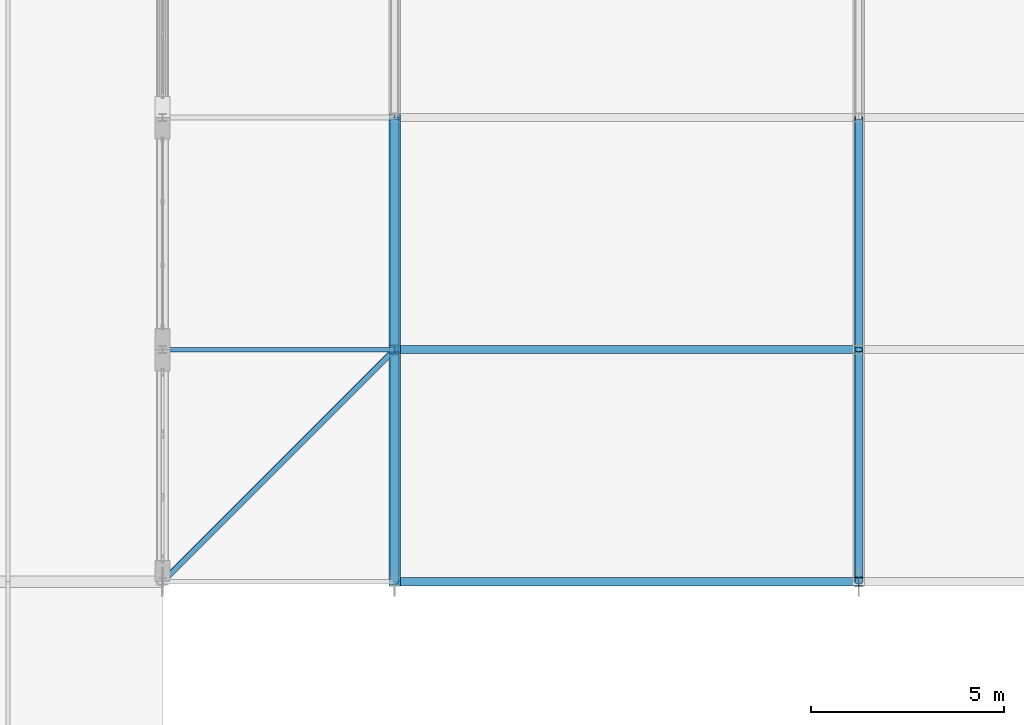
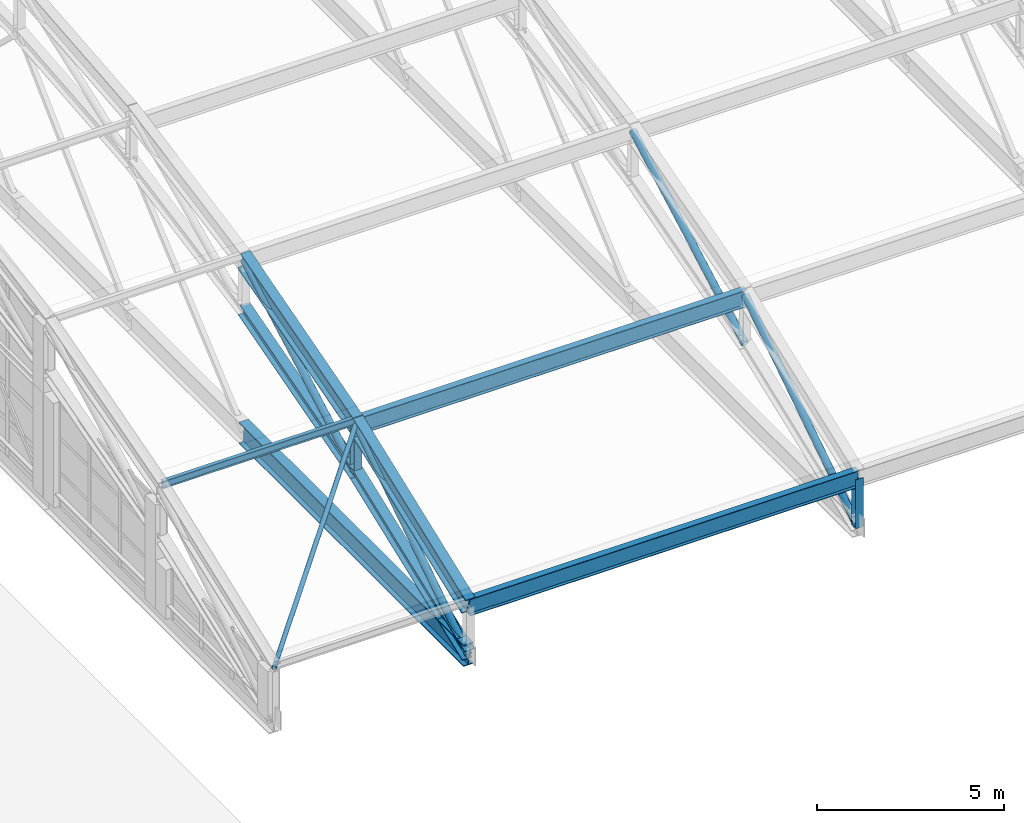
# One storey, part 74 of 204: 15 members.
"""IFC4 building model written with IfcOpenShell, lengths in metres."""

from ifc_helpers import new_model, si_unit, direction, frame, origin, origin_2d, place, context, subcontext, project, spatial, hollow_circle, i_section, extrude, material, material_profile, profile_set, type_object, element, save


model = new_model("IFC4")

# Units and contexts
model_context = context("Model", 3, precision=1e-05, world=origin(), true_north=direction((0.0, 1.0)))
body_context = subcontext(model_context, "Body", "Model", "MODEL_VIEW")
ifc_project = project(units=[si_unit("LENGTHUNIT", "METRE"), si_unit("AREAUNIT", "SQUARE_METRE"), si_unit("VOLUMEUNIT", "CUBIC_METRE"), si_unit("PLANEANGLEUNIT", "RADIAN"), si_unit("MASSUNIT", "GRAM", prefix="KILO")], contexts=[model_context])

# Site, building, storey
site_placement = place(None, origin())
site = spatial("IfcSite", under=ifc_project, at=site_placement, CompositionType="ELEMENT")
building_placement = place(site_placement, origin())
building = spatial("IfcBuilding", under=site, at=building_placement, Name="Zilviju Railside Exhibition Hall", CompositionType="ELEMENT")
storey_placement = place(building_placement, frame((0.0, 0.0, 21.0)))
storey = spatial("IfcBuildingStorey", under=building, at=storey_placement, Name="RF", CompositionType="ELEMENT", Elevation=21.0)

# Members
ifc_material = material(Name="Steel S355J2", Category="steel")
ifc_material_profile_1 = material_profile(ifc_material, hollow_circle(Radius=0.06982421875, WallThickness=0.00634765625, at=origin_2d()), Name="CHS 139.7x6.3")
ifc_profile_set_1 = profile_set([ifc_material_profile_1], Name="Steel S355J2")
member_type_1 = type_object("IfcMemberType", Name="TR-BR-CHS139", PredefinedType="BRACE", material=ifc_profile_set_1)
member_1_placement = place(storey_placement, frame((78.0, 84.0, -1.94189453125), z_axis=(0.68342275404, 0.68342275404, 0.256645043825), x_axis=(-0.707106781187, 0.707106781187, 0.0)))
element("IfcMember", 1, at=member_1_placement, inside=storey, type_object=member_type_1, Name="V2 Roof Wind Brace (78.0..84.0)", PredefinedType="BRACE", context=body_context, shape_type="SweptSolid", body=[
    extrude(hollow_circle(Radius=0.06982421875, WallThickness=0.00634765625, at=origin_2d()), origin(), (0.0, 0.0, 1.0), 8.779296875),
])
ifc_material_profile_2 = material_profile(ifc_material, hollow_circle(Radius=0.109619140625, WallThickness=0.010009765625, at=origin_2d()), Name="CHS 219.1x10.0")
ifc_profile_set_2 = profile_set([ifc_material_profile_2], Name="Steel S355J2")
member_type_2 = type_object("IfcMemberType", Name="TR-BR-CHS219", PredefinedType="BRACE", material=ifc_profile_set_2)
member_2_placement = place(storey_placement, frame((84.0, 84.0, -3.60009765625), z_axis=(0.0, 0.838995406637, 0.544138500423), x_axis=(-1.0, 0.0, 0.0)))
element("IfcMember", 2, at=member_2_placement, inside=storey, type_object=member_type_2, Name="V2 Parabolic Arch Web Diagonal X=84.0 P1", PredefinedType="BRACE", context=body_context, shape_type="SweptSolid", body=[
    extrude(hollow_circle(Radius=0.109619140625, WallThickness=0.010009765625, at=origin_2d()), origin(), (0.0, 0.0, 1.0), 7.1513671875),
])
member_3_placement = place(storey_placement, frame((84.0, 90.0, -1.30859375), z_axis=(0.0, 0.8750828143, 0.483973210122), x_axis=(-1.0, 0.0, 0.0)))
element("IfcMember", 3, at=member_3_placement, inside=storey, type_object=member_type_2, Name="V2 Parabolic Arch Web Diagonal X=84.0 P2", PredefinedType="BRACE", context=body_context, shape_type="SweptSolid", body=[
    extrude(hollow_circle(Radius=0.109619140625, WallThickness=0.010009765625, at=origin_2d()), origin(), (0.0, 0.0, 1.0), 6.8564453125),
])
member_4_placement = place(storey_placement, frame((96.0, 84.0, -3.60009765625), z_axis=(0.0, 0.838995406637, 0.544138500423), x_axis=(-1.0, 0.0, 0.0)))
element("IfcMember", 4, at=member_4_placement, inside=storey, type_object=member_type_2, Name="V2 Parabolic Arch Web Diagonal X=96.0 P1", PredefinedType="BRACE", context=body_context, shape_type="SweptSolid", body=[
    extrude(hollow_circle(Radius=0.109619140625, WallThickness=0.010009765625, at=origin_2d()), origin(), (0.0, 0.0, 1.0), 7.1513671875),
])
member_5_placement = place(storey_placement, frame((96.0, 90.0, -1.30859375), z_axis=(0.0, 0.8750828143, 0.483973210122), x_axis=(-1.0, 0.0, 0.0)))
element("IfcMember", 5, at=member_5_placement, inside=storey, type_object=member_type_2, Name="V2 Parabolic Arch Web Diagonal X=96.0 P2", PredefinedType="BRACE", context=body_context, shape_type="SweptSolid", body=[
    extrude(hollow_circle(Radius=0.109619140625, WallThickness=0.010009765625, at=origin_2d()), origin(), (0.0, 0.0, 1.0), 6.8564453125),
])
ifc_material_profile_3 = material_profile(ifc_material, i_section(OverallWidth=0.300048828125, OverallDepth=0.39990234375, WebThickness=0.013427734375, FlangeThickness=0.02392578125, at=origin_2d()), Name="HEB 400")
ifc_profile_set_3 = profile_set([ifc_material_profile_3], Name="Steel S355J2")
member_type_3 = type_object("IfcMemberType", Name="TR-CH-HEB400", PredefinedType="CHORD", material=ifc_profile_set_3)
member_6_placement = place(storey_placement, frame((84.0, 84.0, -3.60009765625), z_axis=(0.0, 0.934187521086, 0.35678239229), x_axis=(-1.0, 0.0, 0.0)))
element("IfcMember", 6, at=member_6_placement, inside=storey, type_object=member_type_3, Name="V2 Parabolic Arch Bottom Chord X=84.0 P1", PredefinedType="CHORD", context=body_context, shape_type="SweptSolid", body=[
    extrude(i_section(OverallWidth=0.300048828125, OverallDepth=0.39990234375, WebThickness=0.013427734375, FlangeThickness=0.02392578125, at=origin_2d()), origin(), (0.0, 0.0, 1.0), 6.422607421875),
])
member_7_placement = place(storey_placement, frame((84.0, 90.0, -1.30859375), z_axis=(0.0, 0.961345133658, 0.275346207512), x_axis=(-1.0, 0.0, 0.0)))
element("IfcMember", 7, at=member_7_placement, inside=storey, type_object=member_type_3, Name="V2 Parabolic Arch Bottom Chord X=84.0 P2", PredefinedType="CHORD", context=body_context, shape_type="SweptSolid", body=[
    extrude(i_section(OverallWidth=0.300048828125, OverallDepth=0.39990234375, WebThickness=0.013427734375, FlangeThickness=0.02392578125, at=origin_2d()), origin(), (0.0, 0.0, 1.0), 6.2412109375),
])
ifc_material_profile_4 = material_profile(ifc_material, i_section(OverallWidth=0.300048828125, OverallDepth=0.60009765625, WebThickness=0.015380859375, FlangeThickness=0.030029296875, at=origin_2d()), Name="HEB 600")
ifc_profile_set_4 = profile_set([ifc_material_profile_4], Name="Steel S355J2")
member_type_4 = type_object("IfcMemberType", Name="TR-CH-HEB600", PredefinedType="CHORD", material=ifc_profile_set_4)
member_8_placement = place(storey_placement, frame((84.0, 84.0, -2.0), z_axis=(0.0, 0.934200190194, 0.356749218138), x_axis=(-1.0, 0.0, 0.0)))
element("IfcMember", 8, at=member_8_placement, inside=storey, type_object=member_type_4, Name="V2 Parabolic Arch Top Chord X=84.0 P1", PredefinedType="CHORD", context=body_context, shape_type="SweptSolid", body=[
    extrude(i_section(OverallWidth=0.300048828125, OverallDepth=0.60009765625, WebThickness=0.015380859375, FlangeThickness=0.030029296875, at=origin_2d()), origin(), (0.0, 0.0, 1.0), 6.422607421875),
])
member_9_placement = place(storey_placement, frame((84.0, 90.0, 0.291259765625), z_axis=(0.0, 0.961345133658, 0.275346207512), x_axis=(-1.0, 0.0, 0.0)))
element("IfcMember", 9, at=member_9_placement, inside=storey, type_object=member_type_4, Name="V2 Parabolic Arch Top Chord X=84.0 P2", PredefinedType="CHORD", context=body_context, shape_type="SweptSolid", body=[
    extrude(i_section(OverallWidth=0.300048828125, OverallDepth=0.60009765625, WebThickness=0.015380859375, FlangeThickness=0.030029296875, at=origin_2d()), origin(), (0.0, 0.0, 1.0), 6.2412109375),
])
ifc_material_profile_5 = material_profile(ifc_material, i_section(OverallWidth=0.239990234375, OverallDepth=0.22998046875, WebThickness=0.007568359375, FlangeThickness=0.011962890625, at=origin_2d()), Name="HEA 240")
ifc_profile_set_5 = profile_set([ifc_material_profile_5], Name="Steel S355J2")
member_type_5 = type_object("IfcMemberType", Name="TR-POST-HEA240", PredefinedType="POST", material=ifc_profile_set_5)
member_10_placement = place(storey_placement, frame((84.0, 90.0, -1.30859375), z_axis=(0.0, 0.0, 1.0), x_axis=(1.0, 0.0, 0.0)))
element("IfcMember", 10, at=member_10_placement, inside=storey, type_object=member_type_5, Name="V2 Parabolic Arch Web Post X=84.0 N1", PredefinedType="POST", context=body_context, shape_type="SweptSolid", body=[
    extrude(i_section(OverallWidth=0.239990234375, OverallDepth=0.22998046875, WebThickness=0.007568359375, FlangeThickness=0.011962890625, at=origin_2d()), origin(), (0.0, 0.0, 1.0), 1.599853515625),
])
member_11_placement = place(storey_placement, frame((96.0, 84.0, -3.60009765625), z_axis=(0.0, 0.0, 1.0), x_axis=(1.0, 0.0, 0.0)))
element("IfcMember", 11, at=member_11_placement, inside=storey, type_object=member_type_5, Name="V2 Parabolic Arch Web Post X=96.0 N0", PredefinedType="POST", context=body_context, shape_type="SweptSolid", body=[
    extrude(i_section(OverallWidth=0.239990234375, OverallDepth=0.22998046875, WebThickness=0.007568359375, FlangeThickness=0.011962890625, at=origin_2d()), origin(), (0.0, 0.0, 1.0), 1.60009765625),
])
ifc_material_profile_6 = material_profile(ifc_material, i_section(OverallWidth=0.1201171875, OverallDepth=0.239990234375, WebThickness=0.006103515625, FlangeThickness=0.009765625, at=origin_2d()), Name="IPE 240")
ifc_profile_set_6 = profile_set([ifc_material_profile_6], Name="Steel S355J2")
member_type_6 = type_object("IfcMemberType", Name="TR-PUR-IPE240", PredefinedType="PURLIN", material=ifc_profile_set_6)
member_12_placement = place(storey_placement, frame((78.0, 90.0, 0.41162109375), z_axis=(1.0, 0.0, 0.0), x_axis=(0.0, 1.0, 0.0)))
element("IfcMember", 12, at=member_12_placement, inside=storey, type_object=member_type_6, Name="V2 Barrel Vault Roof Purlin Y=90.0 (78.0..84.0)", PredefinedType="PURLIN", context=body_context, shape_type="SweptSolid", body=[
    extrude(i_section(OverallWidth=0.1201171875, OverallDepth=0.239990234375, WebThickness=0.006103515625, FlangeThickness=0.009765625, at=origin_2d()), origin(), (0.0, 0.0, 1.0), 6.0),
])
ifc_material_profile_7 = material_profile(ifc_material, i_section(OverallWidth=0.2099609375, OverallDepth=0.550048828125, WebThickness=0.010986328125, FlangeThickness=0.01708984375, at=origin_2d()), Name="IPE 550")
ifc_profile_set_7 = profile_set([ifc_material_profile_7], Name="Steel S355J2")
member_type_7 = type_object("IfcMemberType", Name="TR-PUR-IPE550", PredefinedType="PURLIN", material=ifc_profile_set_7)
for number, where, z_axis, x_axis, name in (
    (13, (84.0, 84.0, -2.011962890625), (1.0, 0.0, 0.0), (0.0, 1.0, 0.0), "V2 Barrel Vault Roof Purlin Y=84.0 (84.0..96.0)"),
    (14, (84.0, 90.0, 0.239501953125), (1.0, 0.0, 0.0), (0.0, 1.0, 0.0), "V2 Barrel Vault Roof Purlin Y=90.0 (84.0..96.0)"),
):
    element("IfcMember", number, at=place(storey_placement, frame(where, z_axis=z_axis, x_axis=x_axis)), inside=storey, type_object=member_type_7, Name=name, PredefinedType="PURLIN", context=body_context, shape_type="SweptSolid", body=[
        extrude(i_section(OverallWidth=0.2099609375, OverallDepth=0.550048828125, WebThickness=0.010986328125, FlangeThickness=0.01708984375, at=origin_2d()), origin(), (0.0, 0.0, 1.0), 12.0),
    ])
ifc_material_profile_8 = material_profile(ifc_material, i_section(OverallWidth=0.300048828125, OverallDepth=0.699951171875, WebThickness=0.01708984375, FlangeThickness=0.031982421875, at=origin_2d()), Name="HEB 700")
ifc_profile_set_8 = profile_set([ifc_material_profile_8], Name="Steel S355J2")
member_type_8 = type_object("IfcMemberType", Name="TR-TIE-HEB700", PredefinedType="CHORD", material=ifc_profile_set_8)
member_13_placement = place(storey_placement, frame((84.0, 84.0, -3.60009765625), z_axis=(0.0, 1.0, 0.0), x_axis=(-1.0, 0.0, 0.0)))
element("IfcMember", 15, at=member_13_placement, inside=storey, type_object=member_type_8, Name="V2 Arch Tie Member X=84.0", PredefinedType="CHORD", context=body_context, shape_type="SweptSolid", body=[
    extrude(i_section(OverallWidth=0.300048828125, OverallDepth=0.699951171875, WebThickness=0.01708984375, FlangeThickness=0.031982421875, at=origin_2d()), origin(), (0.0, 0.0, 1.0), 12.0),
])

save(model, "model.ifc")
